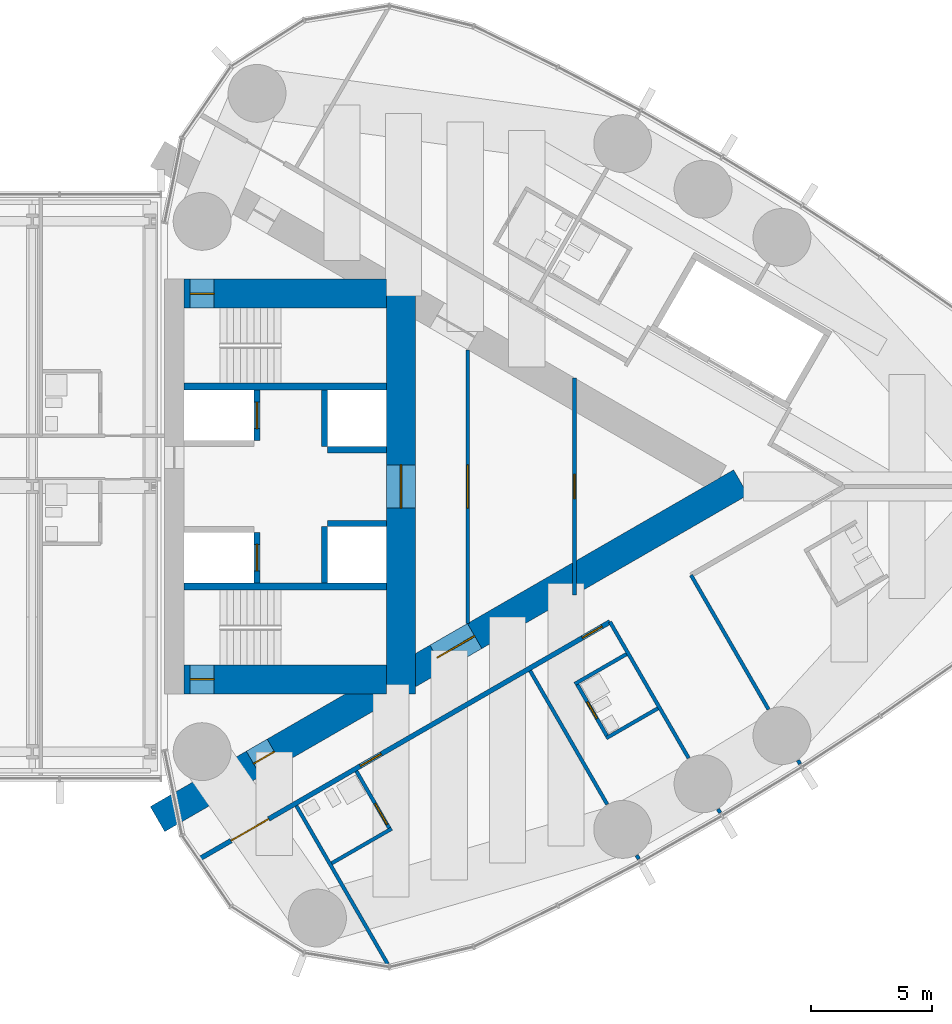
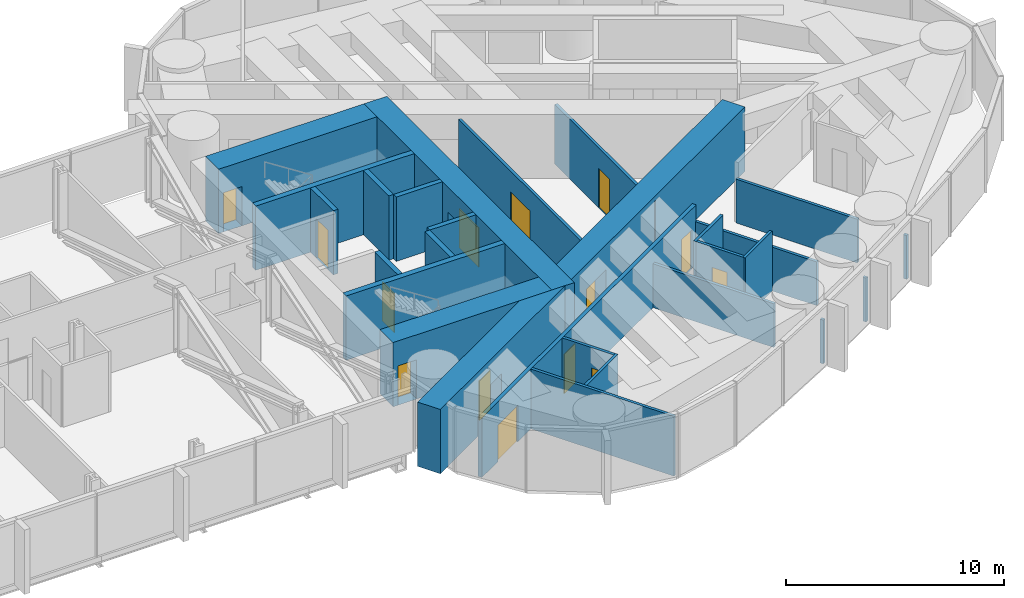
# One storey, part 18 of 22: 27 walls, 14 doors, 14 openings.
"""IFC4 building model written with IfcOpenShell, lengths in metres."""

from ifc_helpers import new_model, si_unit, direction, frame, frame_2d, origin, place, context, subcontext, project, spatial, rectangle, extrude, material, layer, layer_set, type_object, element, fill, save


model = new_model("IFC4")

# Units and contexts
model_context = context("Model", 3, precision=1e-05, world=origin(), true_north=direction((0.0, 1.0)))
body_context = subcontext(model_context, "Body", "Model", "MODEL_VIEW")
ifc_project = project(units=[si_unit("LENGTHUNIT", "METRE"), si_unit("AREAUNIT", "SQUARE_METRE"), si_unit("VOLUMEUNIT", "CUBIC_METRE"), si_unit("PLANEANGLEUNIT", "RADIAN"), si_unit("MASSUNIT", "GRAM", prefix="KILO")], contexts=[model_context])

# Site, building, storey
site_placement = place(None, origin())
site = spatial("IfcSite", under=ifc_project, at=site_placement, CompositionType="ELEMENT")
building_placement = place(site_placement, origin())
building = spatial("IfcBuilding", under=site, at=building_placement, Name="Lancet Gate Hotel", CompositionType="ELEMENT")
storey_placement = place(building_placement, frame((0.0, 0.0, 229.699951171875)))
storey = spatial("IfcBuildingStorey", under=building, at=storey_placement, Name="L61", CompositionType="ELEMENT", Elevation=229.699951171875)

# Wall
ifc_material_1 = material(Name="Moisture resistant board partition")
ifc_layer_1 = layer(ifc_material_1, 0.14990234375)
ifc_layer_set_1 = layer_set([ifc_layer_1], Name="Bathroom wall 150")
wall_type_1 = type_object("IfcWallType", Name="Bathroom wall 150", PredefinedType="PARTITIONING", material=ifc_layer_set_1)
wall_1_placement = place(storey_placement, frame((34.425048828125, -15.633056640625, 0.0), z_axis=(0.0, 0.0, 1.0), x_axis=(0.866018712932, 0.500011588718, 0.0)))
element("IfcWall", 1, at=wall_1_placement, inside=storey, type_object=wall_type_1, Name="T2 bathroom wall 150 L61", PredefinedType="PARTITIONING", context=body_context, shape_type="SweptSolid", body=[
    extrude(rectangle(XDim=2.875, YDim=0.14990234375, at=frame_2d((1.4375, 0.0))), origin(), (0.0, 0.0, 1.0), 3.35009765625),
])

# Wall, opening, door
wall_2_placement = place(storey_placement, frame((35.449951171875, -11.80810546875, 0.0), z_axis=(0.0, 0.0, 1.0), x_axis=(0.49994636267, -0.866056369097, 0.0)))
wall_2 = element("IfcWall", 2, at=wall_2_placement, inside=storey, type_object=wall_type_1, Name="T2 bathroom wall 150 L61", PredefinedType="PARTITIONING", context=body_context, shape_type="SweptSolid", body=[
    extrude(rectangle(XDim=2.800048828125, YDim=0.14990234375, at=frame_2d((1.39990234375, 0.0))), origin(), (0.0, 0.0, 1.0), 3.35009765625),
])
opening_1_placement = place(wall_2_placement, frame((1.550048828125, 0.0, 0.0)))
opening_1 = element("IfcOpeningElement", 3, at=opening_1_placement, cuts=wall_2, Name="Opening 6152-B", PredefinedType="OPENING", context=body_context, shape_type="SweptSolid", body=[
    extrude(rectangle(XDim=1.0, YDim=2.199951171875, at=frame_2d((0.5, 1.10009765625))), frame((0.0, 0.0849609375, 0.0), z_axis=(0.0, -1.0, 0.0), x_axis=(1.0, 0.0, 0.0)), (0.0, 0.0, 1.0), 0.169921875),
])
ifc_material_2 = material(Name="Timber door set", Category="wood")
door_type_1 = type_object("IfcDoorType", Name="Accessible en-suite door 1000", OperationType="SINGLE_SWING_RIGHT", PredefinedType="DOOR", material=ifc_material_2)
door_1_placement = place(opening_1_placement, origin())
door_1 = element("IfcDoor", 4, at=door_1_placement, inside=storey, type_object=door_type_1, Name="6152-B", OperationType="SINGLE_SWING_RIGHT", OverallHeight=2.199951171875, OverallWidth=1.0, PredefinedType="DOOR", context=body_context, shape_type="SweptSolid", body=[
    extrude(rectangle(XDim=1.0, YDim=2.199951171875, at=frame_2d((0.5, 1.10009765625))), frame((0.0, 0.02490234375, 0.0), z_axis=(0.0, -1.0, 0.0), x_axis=(1.0, 0.0, 0.0)), (0.0, 0.0, 1.0), 0.050048828125),
])
fill(opening_1, door_1)

# Wall
wall_3_placement = place(storey_placement, frame((45.814453125, -10.44287109375, 0.0), z_axis=(0.0, 0.0, 1.0), x_axis=(0.866073894602, 0.499916002032, 0.0)))
element("IfcWall", 5, at=wall_3_placement, inside=storey, type_object=wall_type_1, Name="T2 bathroom wall 150 L61", PredefinedType="PARTITIONING", context=body_context, shape_type="SweptSolid", body=[
    extrude(rectangle(XDim=2.47509765625, YDim=0.14990234375, at=frame_2d((1.237548828125, 0.0))), origin(), (0.0, 0.0, 1.0), 3.35009765625),
])

# Wall, opening, door
wall_4_placement = place(storey_placement, frame((44.579345703125, -8.15380859375, 0.0), z_axis=(0.0, 0.0, 1.0), x_axis=(0.500006934395, -0.866021400173, 0.0)))
wall_4 = element("IfcWall", 6, at=wall_4_placement, inside=storey, type_object=wall_type_1, Name="T2 bathroom wall 150 L61", PredefinedType="PARTITIONING", context=body_context, shape_type="SweptSolid", body=[
    extrude(rectangle(XDim=2.60009765625, YDim=0.14990234375, at=frame_2d((1.300048828125, 0.0))), origin(), (0.0, 0.0, 1.0), 3.35009765625),
])
opening_2_placement = place(wall_4_placement, frame((0.89990234375, 0.0, 0.0)))
opening_2 = element("IfcOpeningElement", 7, at=opening_2_placement, cuts=wall_4, Name="Opening 6153-B", PredefinedType="OPENING", context=body_context, shape_type="SweptSolid", body=[
    extrude(rectangle(XDim=0.800048828125, YDim=2.199951171875, at=frame_2d((0.39990234375, 1.10009765625))), frame((0.0, 0.0849609375, 0.0), z_axis=(0.0, -1.0, 0.0), x_axis=(1.0, 0.0, 0.0)), (0.0, 0.0, 1.0), 0.169921875),
])
ifc_material_3 = material(Name="Timber door set", Category="wood")
door_type_2 = type_object("IfcDoorType", Name="Bathroom door 800", OperationType="SINGLE_SWING_RIGHT", PredefinedType="DOOR", material=ifc_material_3)
door_2_placement = place(opening_2_placement, origin())
door_2 = element("IfcDoor", 8, at=door_2_placement, inside=storey, type_object=door_type_2, Name="6153-B", OperationType="SINGLE_SWING_RIGHT", OverallHeight=2.199951171875, OverallWidth=0.800048828125, PredefinedType="DOOR", context=body_context, shape_type="SweptSolid", body=[
    extrude(rectangle(XDim=0.800048828125, YDim=2.199951171875, at=frame_2d((0.39990234375, 1.10009765625))), frame((0.0, 0.02490234375, 0.0), z_axis=(0.0, -1.0, 0.0), x_axis=(1.0, 0.0, 0.0)), (0.0, 0.0, 1.0), 0.050048828125),
])
fill(opening_2, door_2)

# Wall
wall_5_placement = place(storey_placement, frame((44.514404296875, -8.19140625, 0.0), z_axis=(0.0, 0.0, 1.0), x_axis=(0.866031185235, 0.4999899861, 0.0)))
element("IfcWall", 9, at=wall_5_placement, inside=storey, type_object=wall_type_1, Name="T2 bathroom wall 150 L61", PredefinedType="PARTITIONING", context=body_context, shape_type="SweptSolid", body=[
    extrude(rectangle(XDim=2.47509765625, YDim=0.14990234375, at=frame_2d((1.237548828125, 0.0))), origin(), (0.0, 0.0, 1.0), 3.35009765625),
])

# Wall, openings, doors
ifc_material_4 = material(Name="Concrete C70/85", Category="concrete")
ifc_layer_2 = layer(ifc_material_4, 1.199951171875)
ifc_layer_set_2 = layer_set([ifc_layer_2], Name="Buttress wall 1200")
wall_type_2 = type_object("IfcWallType", Name="Buttress wall 1200", PredefinedType="SHEAR", material=ifc_layer_set_2)
wall_6_placement = place(storey_placement, frame((27.199951171875, -13.800048828125, 0.0), z_axis=(0.0, 0.0, 1.0), x_axis=(0.866027159892, 0.499996958321, 0.0)))
wall_6 = element("IfcWall", 10, at=wall_6_placement, inside=storey, type_object=wall_type_2, Name="T2 buttress wall S L61", PredefinedType="SHEAR", context=body_context, shape_type="SweptSolid", body=[
    extrude(rectangle(XDim=27.946533203125, YDim=1.199951171875, at=frame_2d((13.97314453125, 0.0))), origin(), (0.0, 0.0, 1.0), 3.60009765625),
])
opening_3_placement = place(wall_6_placement, frame((4.60009765625, 0.0, 0.0)))
opening_3 = element("IfcOpeningElement", 11, at=opening_3_placement, cuts=wall_6, Name="Opening T2-L61-LS", PredefinedType="OPENING", context=body_context, shape_type="SweptSolid", body=[
    extrude(rectangle(XDim=1.0, YDim=2.199951171875, at=frame_2d((0.5, 1.10009765625))), frame((0.0, 0.60986328125, 0.0), z_axis=(0.0, -1.0, 0.0), x_axis=(1.0, 0.0, 0.0)), (0.0, 0.0, 1.0), 1.219970703125),
])
opening_4_placement = place(wall_6_placement, frame((13.39453125, 0.0, 0.0)))
opening_4 = element("IfcOpeningElement", 12, at=opening_4_placement, cuts=wall_6, Name="Opening T2-L61-LHS", PredefinedType="OPENING", context=body_context, shape_type="SweptSolid", body=[
    extrude(rectangle(XDim=1.800048828125, YDim=2.199951171875, at=frame_2d((0.89990234375, 1.10009765625))), frame((0.0, 0.60986328125, 0.0), z_axis=(0.0, -1.0, 0.0), x_axis=(1.0, 0.0, 0.0)), (0.0, 0.0, 1.0), 1.219970703125),
])
ifc_material_5 = material(Name="Timber door set", Category="wood")
door_type_3 = type_object("IfcDoorType", Name="Lobby double door 1800", OperationType="DOUBLE_DOOR_SINGLE_SWING", PredefinedType="DOOR", material=ifc_material_5)
door_3_placement = place(opening_4_placement, origin())
door_3 = element("IfcDoor", 13, at=door_3_placement, inside=storey, type_object=door_type_3, Name="T2-L61-LHS", OperationType="DOUBLE_DOOR_SINGLE_SWING", OverallHeight=2.199951171875, OverallWidth=1.800048828125, PredefinedType="DOOR", context=body_context, shape_type="SweptSolid", body=[
    extrude(rectangle(XDim=1.800048828125, YDim=2.199951171875, at=frame_2d((0.89990234375, 1.10009765625))), frame((0.0, 0.02490234375, 0.0), z_axis=(0.0, -1.0, 0.0), x_axis=(1.0, 0.0, 0.0)), (0.0, 0.0, 1.0), 0.050048828125),
])
fill(opening_4, door_3)
ifc_material_6 = material(Name="Timber door set", Category="wood")
door_type_4 = type_object("IfcDoorType", Name="Stair lobby door 1000", OperationType="SINGLE_SWING_LEFT", PredefinedType="DOOR", material=ifc_material_6)
door_4_placement = place(opening_3_placement, origin())
door_4 = element("IfcDoor", 14, at=door_4_placement, inside=storey, type_object=door_type_4, Name="T2-L61-LS", OperationType="SINGLE_SWING_LEFT", OverallHeight=2.199951171875, OverallWidth=1.0, PredefinedType="DOOR", context=body_context, shape_type="SweptSolid", body=[
    extrude(rectangle(XDim=1.0, YDim=2.199951171875, at=frame_2d((0.5, 1.10009765625))), frame((0.0, 0.02490234375, 0.0), z_axis=(0.0, -1.0, 0.0), x_axis=(1.0, 0.0, 0.0)), (0.0, 0.0, 1.0), 0.050048828125),
])
fill(opening_3, door_4)

# Wall, opening, door
ifc_material_7 = material(Name="Concrete C70/85", Category="concrete")
ifc_layer_3 = layer(ifc_material_7, 1.199951171875)
ifc_layer_set_3 = layer_set([ifc_layer_3], Name="Core wall 1200")
wall_type_3 = type_object("IfcWallType", Name="Core wall 1200", PredefinedType="SHEAR", material=ifc_layer_set_3)
wall_7_placement = place(storey_placement, frame((37.300048828125, -8.60009765625, 0.0), z_axis=(0.0, 0.0, 1.0), x_axis=(0.0, 1.0, 0.0)))
wall_7 = element("IfcWall", 15, at=wall_7_placement, inside=storey, type_object=wall_type_3, Name="T2 core wall back L61", PredefinedType="SHEAR", context=body_context, shape_type="SweptSolid", body=[
    extrude(rectangle(XDim=17.2001953125, YDim=1.199951171875, at=frame_2d((8.60009765625, 0.0))), origin(), (0.0, 0.0, 1.0), 3.60009765625),
])
opening_5_placement = place(wall_7_placement, frame((7.699951171875, 0.0, 0.0)))
opening_5 = element("IfcOpeningElement", 16, at=opening_5_placement, cuts=wall_7, Name="Opening T2-L61-LL", PredefinedType="OPENING", context=body_context, shape_type="SweptSolid", body=[
    extrude(rectangle(XDim=1.800048828125, YDim=2.199951171875, at=frame_2d((0.89990234375, 1.10009765625))), frame((0.0, 0.60986328125, 0.0), z_axis=(0.0, -1.0, 0.0), x_axis=(1.0, 0.0, 0.0)), (0.0, 0.0, 1.0), 1.219970703125),
])
door_5_placement = place(opening_5_placement, origin())
door_5 = element("IfcDoor", 17, at=door_5_placement, inside=storey, type_object=door_type_3, Name="T2-L61-LL", OperationType="DOUBLE_DOOR_SINGLE_SWING", OverallHeight=2.199951171875, OverallWidth=1.800048828125, PredefinedType="DOOR", context=body_context, shape_type="SweptSolid", body=[
    extrude(rectangle(XDim=1.800048828125, YDim=2.199951171875, at=frame_2d((0.89990234375, 1.10009765625))), frame((0.0, 0.02490234375, 0.0), z_axis=(0.0, -1.0, 0.0), x_axis=(1.0, 0.0, 0.0)), (0.0, 0.0, 1.0), 0.050048828125),
])
fill(opening_5, door_5)

wall_8_placement = place(storey_placement, frame((28.300048828125, -8.0, 0.0), z_axis=(0.0, 0.0, 1.0), x_axis=(1.0, 0.0, 0.0)))
wall_8 = element("IfcWall", 18, at=wall_8_placement, inside=storey, type_object=wall_type_3, Name="T2 core wall side-S L61", PredefinedType="SHEAR", context=body_context, shape_type="SweptSolid", body=[
    extrude(rectangle(XDim=8.39990234375, YDim=1.199951171875, at=frame_2d((4.199951171875, 0.0))), origin(), (0.0, 0.0, 1.0), 3.60009765625),
])
opening_6_placement = place(wall_8_placement, frame((0.25, 0.0, 0.0)))
opening_6 = element("IfcOpeningElement", 19, at=opening_6_placement, cuts=wall_8, Name="Opening T2-L61-ST1", PredefinedType="OPENING", context=body_context, shape_type="SweptSolid", body=[
    extrude(rectangle(XDim=1.0, YDim=2.199951171875, at=frame_2d((0.5, 1.10009765625))), frame((0.0, 0.60986328125, 0.0), z_axis=(0.0, -1.0, 0.0), x_axis=(1.0, 0.0, 0.0)), (0.0, 0.0, 1.0), 1.219970703125),
])
ifc_material_8 = material(Name="Timber door set", Category="wood")
door_type_5 = type_object("IfcDoorType", Name="Stair door 1000", OperationType="SINGLE_SWING_RIGHT", PredefinedType="DOOR", material=ifc_material_8)
door_6_placement = place(opening_6_placement, origin())
door_6 = element("IfcDoor", 20, at=door_6_placement, inside=storey, type_object=door_type_5, Name="T2-L61-ST1", OperationType="SINGLE_SWING_RIGHT", OverallHeight=2.199951171875, OverallWidth=1.0, PredefinedType="DOOR", context=body_context, shape_type="SweptSolid", body=[
    extrude(rectangle(XDim=1.0, YDim=2.199951171875, at=frame_2d((0.5, 1.10009765625))), frame((0.0, 0.02490234375, 0.0), z_axis=(0.0, -1.0, 0.0), x_axis=(1.0, 0.0, 0.0)), (0.0, 0.0, 1.0), 0.050048828125),
])
fill(opening_6, door_6)

wall_9_placement = place(storey_placement, frame((28.300048828125, 8.0, 0.0), z_axis=(0.0, 0.0, 1.0), x_axis=(1.0, 0.0, 0.0)))
wall_9 = element("IfcWall", 21, at=wall_9_placement, inside=storey, type_object=wall_type_3, Name="T2 core wall side-N L61", PredefinedType="SHEAR", context=body_context, shape_type="SweptSolid", body=[
    extrude(rectangle(XDim=8.39990234375, YDim=1.199951171875, at=frame_2d((4.199951171875, 0.0))), origin(), (0.0, 0.0, 1.0), 3.60009765625),
])
opening_7_placement = place(wall_9_placement, frame((0.25, 0.0, 0.0)))
opening_7 = element("IfcOpeningElement", 22, at=opening_7_placement, cuts=wall_9, Name="Opening T2-L61-ST2", PredefinedType="OPENING", context=body_context, shape_type="SweptSolid", body=[
    extrude(rectangle(XDim=1.0, YDim=2.199951171875, at=frame_2d((0.5, 1.10009765625))), frame((0.0, 0.60986328125, 0.0), z_axis=(0.0, -1.0, 0.0), x_axis=(1.0, 0.0, 0.0)), (0.0, 0.0, 1.0), 1.219970703125),
])
door_7_placement = place(opening_7_placement, origin())
door_7 = element("IfcDoor", 23, at=door_7_placement, inside=storey, type_object=door_type_5, Name="T2-L61-ST2", OperationType="SINGLE_SWING_RIGHT", OverallHeight=2.199951171875, OverallWidth=1.0, PredefinedType="DOOR", context=body_context, shape_type="SweptSolid", body=[
    extrude(rectangle(XDim=1.0, YDim=2.199951171875, at=frame_2d((0.5, 1.10009765625))), frame((0.0, 0.02490234375, 0.0), z_axis=(0.0, -1.0, 0.0), x_axis=(1.0, 0.0, 0.0)), (0.0, 0.0, 1.0), 0.050048828125),
])
fill(opening_7, door_7)

# Wall, openings, doors
ifc_material_9 = material(Name="Gypsum board partition")
ifc_layer_4 = layer(ifc_material_9, 0.199951171875)
ifc_layer_set_4 = layer_set([ifc_layer_4], Name="Corridor wall 200")
wall_type_4 = type_object("IfcWallType", Name="Corridor wall 200", PredefinedType="PARTITIONING", material=ifc_layer_set_4)
wall_10_placement = place(storey_placement, frame((28.958984375, -15.440185546875, 0.0), z_axis=(0.0, 0.0, 1.0), x_axis=(0.866025204199, 0.500000345692, 0.0)))
wall_10 = element("IfcWall", 24, at=wall_10_placement, inside=storey, type_object=wall_type_4, Name="T2 corridor wall 200 L61", PredefinedType="PARTITIONING", context=body_context, shape_type="SweptSolid", body=[
    extrude(rectangle(XDim=19.64599609375, YDim=0.199951171875, at=frame_2d((9.822998046875, 0.0))), origin(), (0.0, 0.0, 1.0), 3.35009765625),
])
opening_8_placement = place(wall_10_placement, frame((1.49365234375, 0.0, 0.0)))
opening_8 = element("IfcOpeningElement", 25, at=opening_8_placement, cuts=wall_10, Name="Opening 6151-E", PredefinedType="OPENING", context=body_context, shape_type="SweptSolid", body=[
    extrude(rectangle(XDim=1.800048828125, YDim=2.0400390625, at=frame_2d((0.89990234375, 1.02001953125))), frame((0.0, 0.10986328125, 0.0), z_axis=(0.0, -1.0, 0.0), x_axis=(1.0, 0.0, 0.0)), (0.0, 0.0, 1.0), 0.219970703125),
])
opening_9_placement = place(wall_10_placement, frame((7.687255859375, 0.0, 0.0)))
opening_9 = element("IfcOpeningElement", 26, at=opening_9_placement, cuts=wall_10, Name="Opening 6152-E", PredefinedType="OPENING", context=body_context, shape_type="SweptSolid", body=[
    extrude(rectangle(XDim=1.0, YDim=2.199951171875, at=frame_2d((0.5, 1.10009765625))), frame((0.0, 0.10986328125, 0.0), z_axis=(0.0, -1.0, 0.0), x_axis=(1.0, 0.0, 0.0)), (0.0, 0.0, 1.0), 0.219970703125),
])
opening_10_placement = place(wall_10_placement, frame((18.32080078125, 0.0, 0.0)))
opening_10 = element("IfcOpeningElement", 27, at=opening_10_placement, cuts=wall_10, Name="Opening 6153-E", PredefinedType="OPENING", context=body_context, shape_type="SweptSolid", body=[
    extrude(rectangle(XDim=0.949951171875, YDim=2.199951171875, at=frame_2d((0.47509765625, 1.10009765625))), frame((0.0, 0.10986328125, 0.0), z_axis=(0.0, -1.0, 0.0), x_axis=(1.0, 0.0, 0.0)), (0.0, 0.0, 1.0), 0.219970703125),
])
ifc_material_10 = material(Name="Timber door set", Category="wood")
door_type_6 = type_object("IfcDoorType", Name="Accessible guest room door 1000", OperationType="SINGLE_SWING_LEFT", PredefinedType="DOOR", material=ifc_material_10)
door_8_placement = place(opening_9_placement, origin())
door_8 = element("IfcDoor", 28, at=door_8_placement, inside=storey, type_object=door_type_6, Name="6152-E", OperationType="SINGLE_SWING_LEFT", OverallHeight=2.199951171875, OverallWidth=1.0, PredefinedType="DOOR", context=body_context, shape_type="SweptSolid", body=[
    extrude(rectangle(XDim=1.0, YDim=2.199951171875, at=frame_2d((0.5, 1.10009765625))), frame((0.0, 0.02490234375, 0.0), z_axis=(0.0, -1.0, 0.0), x_axis=(1.0, 0.0, 0.0)), (0.0, 0.0, 1.0), 0.050048828125),
])
fill(opening_9, door_8)
ifc_material_11 = material(Name="Timber door set", Category="wood")
door_type_7 = type_object("IfcDoorType", Name="Double door 1800, 2040 high", OperationType="DOUBLE_DOOR_SINGLE_SWING", PredefinedType="DOOR", material=ifc_material_11)
door_9_placement = place(opening_8_placement, origin())
door_9 = element("IfcDoor", 29, at=door_9_placement, inside=storey, type_object=door_type_7, Name="6151-E", OperationType="DOUBLE_DOOR_SINGLE_SWING", OverallHeight=2.0400390625, OverallWidth=1.800048828125, PredefinedType="DOOR", context=body_context, shape_type="SweptSolid", body=[
    extrude(rectangle(XDim=1.800048828125, YDim=2.0400390625, at=frame_2d((0.89990234375, 1.02001953125))), frame((0.0, 0.02490234375, 0.0), z_axis=(0.0, -1.0, 0.0), x_axis=(1.0, 0.0, 0.0)), (0.0, 0.0, 1.0), 0.050048828125),
])
fill(opening_8, door_9)
ifc_material_12 = material(Name="Timber door set", Category="wood")
door_type_8 = type_object("IfcDoorType", Name="Guest room entry door 950", OperationType="SINGLE_SWING_LEFT", PredefinedType="DOOR", material=ifc_material_12)
door_10_placement = place(opening_10_placement, origin())
door_10 = element("IfcDoor", 30, at=door_10_placement, inside=storey, type_object=door_type_8, Name="6153-E", OperationType="SINGLE_SWING_LEFT", OverallHeight=2.199951171875, OverallWidth=0.949951171875, PredefinedType="DOOR", context=body_context, shape_type="SweptSolid", body=[
    extrude(rectangle(XDim=0.949951171875, YDim=2.199951171875, at=frame_2d((0.47509765625, 1.10009765625))), frame((0.0, 0.02490234375, 0.0), z_axis=(0.0, -1.0, 0.0), x_axis=(1.0, 0.0, 0.0)), (0.0, 0.0, 1.0), 0.050048828125),
])
fill(opening_10, door_10)

# Wall, opening, door
ifc_material_13 = material(Name="Concrete C50/60", Category="concrete")
ifc_layer_5 = layer(ifc_material_13, 0.25)
ifc_layer_set_5 = layer_set([ifc_layer_5], Name="Lift shaft wall 250")
wall_type_5 = type_object("IfcWallType", Name="Lift shaft wall 250", PredefinedType="SHEAR", material=ifc_layer_set_5)
wall_11_placement = place(storey_placement, frame((31.324951171875, -4.0, 0.0), z_axis=(0.0, 0.0, 1.0), x_axis=(0.0, 1.0, 0.0)))
wall_11 = element("IfcWall", 31, at=wall_11_placement, inside=storey, type_object=wall_type_5, Name="T2 core wall row1-S L61", PredefinedType="SHEAR", context=body_context, shape_type="SweptSolid", body=[
    extrude(rectangle(XDim=2.10009765625, YDim=0.25, at=frame_2d((1.050048828125, 0.0))), origin(), (0.0, 0.0, 1.0), 3.60009765625),
])
opening_11_placement = place(wall_11_placement, frame((0.5, 0.0, 0.0)))
opening_11 = element("IfcOpeningElement", 32, at=opening_11_placement, cuts=wall_11, Name="Opening T2-SL1-L61", PredefinedType="OPENING", context=body_context, shape_type="SweptSolid", body=[
    extrude(rectangle(XDim=1.10009765625, YDim=2.199951171875, at=frame_2d((0.550048828125, 1.10009765625))), frame((0.0, 0.135009765625, 0.0), z_axis=(0.0, -1.0, 0.0), x_axis=(1.0, 0.0, 0.0)), (0.0, 0.0, 1.0), 0.27001953125),
])
ifc_material_14 = material(Name="Timber door set", Category="wood")
door_type_9 = type_object("IfcDoorType", Name="Service lift landing door 1100", OperationType="SLIDING_TO_LEFT", PredefinedType="USERDEFINED", material=ifc_material_14)
door_11_placement = place(opening_11_placement, origin())
door_11 = element("IfcDoor", 33, at=door_11_placement, inside=storey, type_object=door_type_9, Name="T2-SL1-L61", ObjectType="LIFT LANDING DOOR", OperationType="SLIDING_TO_LEFT", OverallHeight=2.199951171875, OverallWidth=1.10009765625, PredefinedType="USERDEFINED", context=body_context, shape_type="SweptSolid", body=[
    extrude(rectangle(XDim=1.10009765625, YDim=2.199951171875, at=frame_2d((0.550048828125, 1.10009765625))), frame((0.0, 0.02490234375, 0.0), z_axis=(0.0, -1.0, 0.0), x_axis=(1.0, 0.0, 0.0)), (0.0, 0.0, 1.0), 0.050048828125),
])
fill(opening_11, door_11)

# Walls
wall_12_placement = place(storey_placement, frame((34.125, -4.0, 0.0), z_axis=(0.0, 0.0, 1.0), x_axis=(0.0, 1.0, 0.0)))
element("IfcWall", 34, at=wall_12_placement, inside=storey, type_object=wall_type_5, Name="T2 core wall row2-S L61", PredefinedType="SHEAR", context=body_context, shape_type="SweptSolid", body=[
    extrude(rectangle(XDim=2.35009765625, YDim=0.25, at=frame_2d((1.175048828125, 0.0))), origin(), (0.0, 0.0, 1.0), 3.60009765625),
])
wall_13_placement = place(storey_placement, frame((34.25, -1.52490234375, 0.0), z_axis=(0.0, 0.0, 1.0), x_axis=(1.0, 0.0, 0.0)))
element("IfcWall", 35, at=wall_13_placement, inside=storey, type_object=wall_type_5, Name="T2 core wall pass2-S L61", PredefinedType="SHEAR", context=body_context, shape_type="SweptSolid", body=[
    extrude(rectangle(XDim=2.449951171875, YDim=0.25, at=frame_2d((1.22509765625, 0.0))), origin(), (0.0, 0.0, 1.0), 3.60009765625),
])

# Wall, opening, door
wall_14_placement = place(storey_placement, frame((31.324951171875, 1.89990234375, 0.0), z_axis=(0.0, 0.0, 1.0), x_axis=(0.0, 1.0, 0.0)))
wall_14 = element("IfcWall", 36, at=wall_14_placement, inside=storey, type_object=wall_type_5, Name="T2 core wall row1-N L61", PredefinedType="SHEAR", context=body_context, shape_type="SweptSolid", body=[
    extrude(rectangle(XDim=2.10009765625, YDim=0.25, at=frame_2d((1.050048828125, 0.0))), origin(), (0.0, 0.0, 1.0), 3.60009765625),
])
opening_12_placement = place(wall_14_placement, frame((0.5, 0.0, 0.0)))
opening_12 = element("IfcOpeningElement", 37, at=opening_12_placement, cuts=wall_14, Name="Opening T2-FL2-L61", PredefinedType="OPENING", context=body_context, shape_type="SweptSolid", body=[
    extrude(rectangle(XDim=1.10009765625, YDim=2.199951171875, at=frame_2d((0.550048828125, 1.10009765625))), frame((0.0, 0.135009765625, 0.0), z_axis=(0.0, -1.0, 0.0), x_axis=(1.0, 0.0, 0.0)), (0.0, 0.0, 1.0), 0.27001953125),
])
ifc_material_15 = material(Name="Steel door set", Category="steel")
door_type_10 = type_object("IfcDoorType", Name="Firefighting lift landing door 1100", OperationType="SLIDING_TO_LEFT", PredefinedType="USERDEFINED", material=ifc_material_15)
door_12_placement = place(opening_12_placement, origin())
door_12 = element("IfcDoor", 38, at=door_12_placement, inside=storey, type_object=door_type_10, Name="T2-FL2-L61", ObjectType="LIFT LANDING DOOR", OperationType="SLIDING_TO_LEFT", OverallHeight=2.199951171875, OverallWidth=1.10009765625, PredefinedType="USERDEFINED", context=body_context, shape_type="SweptSolid", body=[
    extrude(rectangle(XDim=1.10009765625, YDim=2.199951171875, at=frame_2d((0.550048828125, 1.10009765625))), frame((0.0, 0.02490234375, 0.0), z_axis=(0.0, -1.0, 0.0), x_axis=(1.0, 0.0, 0.0)), (0.0, 0.0, 1.0), 0.050048828125),
])
fill(opening_12, door_12)

# Walls
wall_15_placement = place(storey_placement, frame((34.125, 1.64990234375, 0.0), z_axis=(0.0, 0.0, 1.0), x_axis=(0.0, 1.0, 0.0)))
element("IfcWall", 39, at=wall_15_placement, inside=storey, type_object=wall_type_5, Name="T2 core wall row2-N L61", PredefinedType="SHEAR", context=body_context, shape_type="SweptSolid", body=[
    extrude(rectangle(XDim=2.35009765625, YDim=0.25, at=frame_2d((1.175048828125, 0.0))), origin(), (0.0, 0.0, 1.0), 3.60009765625),
])
wall_16_placement = place(storey_placement, frame((34.25, 1.52490234375, 0.0), z_axis=(0.0, 0.0, 1.0), x_axis=(1.0, 0.0, 0.0)))
element("IfcWall", 40, at=wall_16_placement, inside=storey, type_object=wall_type_5, Name="T2 core wall pass2-N L61", PredefinedType="SHEAR", context=body_context, shape_type="SweptSolid", body=[
    extrude(rectangle(XDim=2.449951171875, YDim=0.25, at=frame_2d((1.22509765625, 0.0))), origin(), (0.0, 0.0, 1.0), 3.60009765625),
])
ifc_material_16 = material(Name="Gypsum board partition")
ifc_layer_6 = layer(ifc_material_16, 0.14990234375)
ifc_layer_set_6 = layer_set([ifc_layer_6], Name="Party wall 150")
wall_type_6 = type_object("IfcWallType", Name="Party wall 150", PredefinedType="PARTITIONING", material=ifc_layer_set_6)
wall_17_placement = place(storey_placement, frame((32.9599609375, -13.24560546875, 0.0), z_axis=(0.0, 0.0, 1.0), x_axis=(0.500000236886, -0.866025267018, 0.0)))
element("IfcWall", 41, at=wall_17_placement, inside=storey, type_object=wall_type_6, Name="T2 party wall 150 L61", PredefinedType="PARTITIONING", context=body_context, shape_type="SweptSolid", body=[
    extrude(rectangle(XDim=7.58251953125, YDim=0.14990234375, at=frame_2d((3.791259765625, 0.0))), origin(), (0.0, 0.0, 1.0), 3.35009765625),
])
wall_18_placement = place(storey_placement, frame((42.65966796875, -7.6455078125, 0.0), z_axis=(0.0, 0.0, 1.0), x_axis=(0.499996592859, -0.866027370889, 0.0)))
element("IfcWall", 42, at=wall_18_placement, inside=storey, type_object=wall_type_6, Name="T2 party wall 150 L61", PredefinedType="PARTITIONING", context=body_context, shape_type="SweptSolid", body=[
    extrude(rectangle(XDim=6.3984375, YDim=0.14990234375, at=frame_2d((3.19921875, 0.0))), origin(), (0.0, 0.0, 1.0), 2.449951171875),
])
wall_19_placement = place(storey_placement, frame((47.078857421875, -15.2998046875, 0.0), z_axis=(0.0, 0.0, 1.0), x_axis=(0.499212083968, -0.866479829667, 0.0)))
element("IfcWall", 43, at=wall_19_placement, inside=storey, type_object=wall_type_6, Name="T2 party wall 150 L61", PredefinedType="PARTITIONING", context=body_context, shape_type="SweptSolid", body=[
    extrude(rectangle(XDim=0.179443359375, YDim=0.14990234375, at=frame_2d((0.08984375, 0.0))), origin(), (0.0, 0.0, 1.0), 2.449951171875),
])
wall_20_placement = place(storey_placement, frame((45.972900390625, -5.6171875, 0.0), z_axis=(0.0, 0.0, 1.0), x_axis=(0.499985856986, -0.866033569104, 0.0)))
element("IfcWall", 44, at=wall_20_placement, inside=storey, type_object=wall_type_6, Name="T2 party wall 150 L61", PredefinedType="PARTITIONING", context=body_context, shape_type="SweptSolid", body=[
    extrude(rectangle(XDim=6.525634765625, YDim=0.14990234375, at=frame_2d((3.2626953125, 0.0))), origin(), (0.0, 0.0, 1.0), 2.449951171875),
])
wall_21_placement = place(storey_placement, frame((50.45556640625, -13.381591796875, 0.0), z_axis=(0.0, 0.0, 1.0), x_axis=(0.500661834965, -0.865642955848, 0.0)))
element("IfcWall", 45, at=wall_21_placement, inside=storey, type_object=wall_type_6, Name="T2 party wall 150 L61", PredefinedType="PARTITIONING", context=body_context, shape_type="SweptSolid", body=[
    extrude(rectangle(XDim=0.179931640625, YDim=0.14990234375, at=frame_2d((0.08984375, 0.0))), origin(), (0.0, 0.0, 1.0), 2.449951171875),
])
wall_22_placement = place(storey_placement, frame((49.335205078125, -3.676025390625, 0.0), z_axis=(0.0, 0.0, 1.0), x_axis=(0.500000613642, -0.866025049498, 0.0)))
element("IfcWall", 46, at=wall_22_placement, inside=storey, type_object=wall_type_6, Name="T2 party wall 150 L61", PredefinedType="PARTITIONING", context=body_context, shape_type="SweptSolid", body=[
    extrude(rectangle(XDim=6.4326171875, YDim=0.14990234375, at=frame_2d((3.21630859375, 0.0))), origin(), (0.0, 0.0, 1.0), 2.449951171875),
])
wall_23_placement = place(storey_placement, frame((53.771484375, -11.35986328125, 0.0), z_axis=(0.0, 0.0, 1.0), x_axis=(0.499524978789, -0.866299483762, 0.0)))
element("IfcWall", 47, at=wall_23_placement, inside=storey, type_object=wall_type_6, Name="T2 party wall 150 L61", PredefinedType="PARTITIONING", context=body_context, shape_type="SweptSolid", body=[
    extrude(rectangle(XDim=0.178466796875, YDim=0.14990234375, at=frame_2d((0.08935546875, 0.0))), origin(), (0.0, 0.0, 1.0), 2.449951171875),
])

# Wall, opening, door
ifc_material_17 = material(Name="Gypsum board partition")
ifc_layer_7 = layer(ifc_material_17, 0.14990234375)
ifc_layer_set_7 = layer_set([ifc_layer_7], Name="Service room wall 150")
wall_type_7 = type_object("IfcWallType", Name="Service room wall 150", PredefinedType="PARTITIONING", material=ifc_layer_set_7)
wall_24_placement = place(storey_placement, frame((40.074951171875, -5.673828125, 0.0), z_axis=(0.0, 0.0, 1.0), x_axis=(0.0, 1.0, 0.0)))
wall_24 = element("IfcWall", 48, at=wall_24_placement, inside=storey, type_object=wall_type_7, Name="T2 service room wall 150 L61", PredefinedType="PARTITIONING", context=body_context, shape_type="SweptSolid", body=[
    extrude(rectangle(XDim=11.34765625, YDim=0.14990234375, at=frame_2d((5.673828125, 0.0))), origin(), (0.0, 0.0, 1.0), 3.35009765625),
])
opening_13_placement = place(wall_24_placement, frame((4.773681640625, 0.0, 0.0)))
opening_13 = element("IfcOpeningElement", 49, at=opening_13_placement, cuts=wall_24, Name="Opening T2-L61-LH", PredefinedType="OPENING", context=body_context, shape_type="SweptSolid", body=[
    extrude(rectangle(XDim=1.800048828125, YDim=2.199951171875, at=frame_2d((0.89990234375, 1.10009765625))), frame((0.0, 0.0849609375, 0.0), z_axis=(0.0, -1.0, 0.0), x_axis=(1.0, 0.0, 0.0)), (0.0, 0.0, 1.0), 0.169921875),
])
door_13_placement = place(opening_13_placement, origin())
door_13 = element("IfcDoor", 50, at=door_13_placement, inside=storey, type_object=door_type_3, Name="T2-L61-LH", OperationType="DOUBLE_DOOR_SINGLE_SWING", OverallHeight=2.199951171875, OverallWidth=1.800048828125, PredefinedType="DOOR", context=body_context, shape_type="SweptSolid", body=[
    extrude(rectangle(XDim=1.800048828125, YDim=2.199951171875, at=frame_2d((0.89990234375, 1.10009765625))), frame((0.0, 0.02490234375, 0.0), z_axis=(0.0, -1.0, 0.0), x_axis=(1.0, 0.0, 0.0)), (0.0, 0.0, 1.0), 0.050048828125),
])
fill(opening_13, door_13)

wall_25_placement = place(storey_placement, frame((44.5, -4.504638671875, 0.0), z_axis=(0.0, 0.0, 1.0), x_axis=(0.0, 1.0, 0.0)))
wall_25 = element("IfcWall", 51, at=wall_25_placement, inside=storey, type_object=wall_type_7, Name="T2 service room wall 150 L61", PredefinedType="PARTITIONING", context=body_context, shape_type="SweptSolid", body=[
    extrude(rectangle(XDim=9.00927734375, YDim=0.14990234375, at=frame_2d((4.504638671875, 0.0))), origin(), (0.0, 0.0, 1.0), 3.35009765625),
])
opening_14_placement = place(wall_25_placement, frame((4.004638671875, 0.0, 0.0)))
opening_14 = element("IfcOpeningElement", 52, at=opening_14_placement, cuts=wall_25, Name="Opening T2-L61-SV", PredefinedType="OPENING", context=body_context, shape_type="SweptSolid", body=[
    extrude(rectangle(XDim=1.0, YDim=2.199951171875, at=frame_2d((0.5, 1.10009765625))), frame((0.0, 0.0849609375, 0.0), z_axis=(0.0, -1.0, 0.0), x_axis=(1.0, 0.0, 0.0)), (0.0, 0.0, 1.0), 0.169921875),
])
ifc_material_18 = material(Name="Timber door set", Category="wood")
door_type_11 = type_object("IfcDoorType", Name="Service door 1000", OperationType="SINGLE_SWING_LEFT", PredefinedType="DOOR", material=ifc_material_18)
door_14_placement = place(opening_14_placement, origin())
door_14 = element("IfcDoor", 53, at=door_14_placement, inside=storey, type_object=door_type_11, Name="T2-L61-SV", OperationType="SINGLE_SWING_LEFT", OverallHeight=2.199951171875, OverallWidth=1.0, PredefinedType="DOOR", context=body_context, shape_type="SweptSolid", body=[
    extrude(rectangle(XDim=1.0, YDim=2.199951171875, at=frame_2d((0.5, 1.10009765625))), frame((0.0, 0.02490234375, 0.0), z_axis=(0.0, -1.0, 0.0), x_axis=(1.0, 0.0, 0.0)), (0.0, 0.0, 1.0), 0.050048828125),
])
fill(opening_14, door_14)

# Walls
ifc_material_19 = material(Name="Concrete C50/60", Category="concrete")
ifc_layer_8 = layer(ifc_material_19, 0.300048828125)
ifc_layer_set_8 = layer_set([ifc_layer_8], Name="Stair enclosure wall 300")
wall_type_8 = type_object("IfcWallType", Name="Stair enclosure wall 300", PredefinedType="SHEAR", material=ifc_layer_set_8)
for number, where, z_axis, x_axis, name in (
    (54, (28.300048828125, -4.14990234375, 0.0), (0.0, 0.0, 1.0), (1.0, 0.0, 0.0), "T2 core wall stair-S L61"),
    (55, (28.300048828125, 4.14990234375, 0.0), (0.0, 0.0, 1.0), (1.0, 0.0, 0.0), "T2 core wall stair-N L61"),
):
    element("IfcWall", number, at=place(storey_placement, frame(where, z_axis=z_axis, x_axis=x_axis)), inside=storey, type_object=wall_type_8, Name=name, PredefinedType="SHEAR", context=body_context, shape_type="SweptSolid", body=[
        extrude(rectangle(XDim=8.39990234375, YDim=0.300048828125, at=frame_2d((4.199951171875, 0.0))), origin(), (0.0, 0.0, 1.0), 3.60009765625),
    ])

save(model, "model.ifc")
